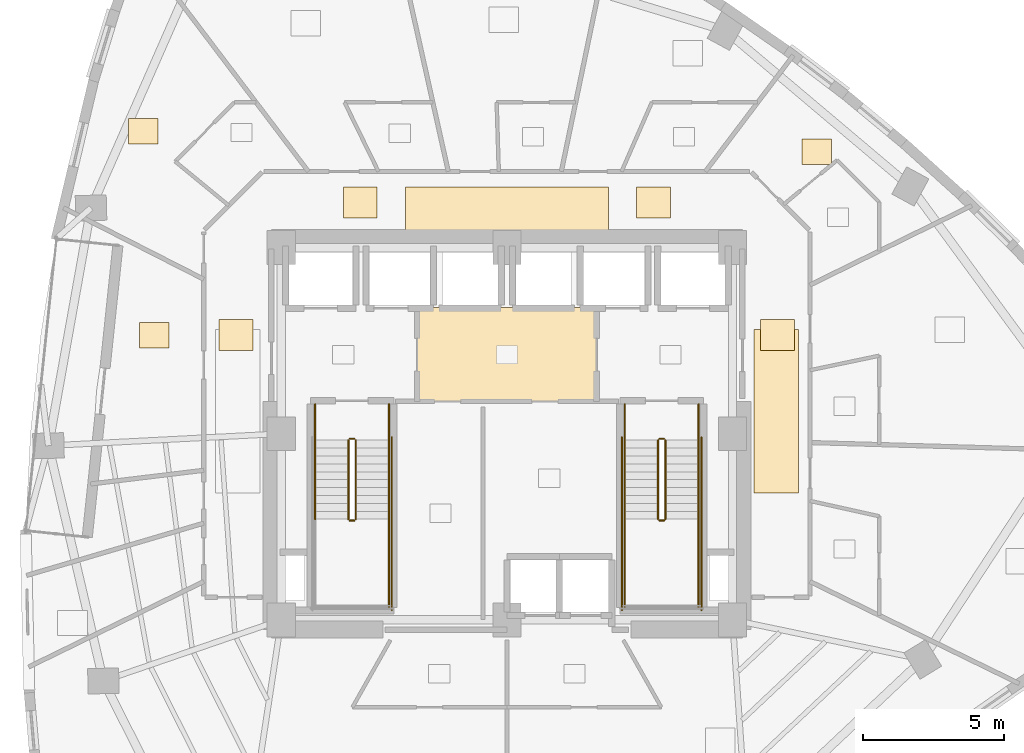
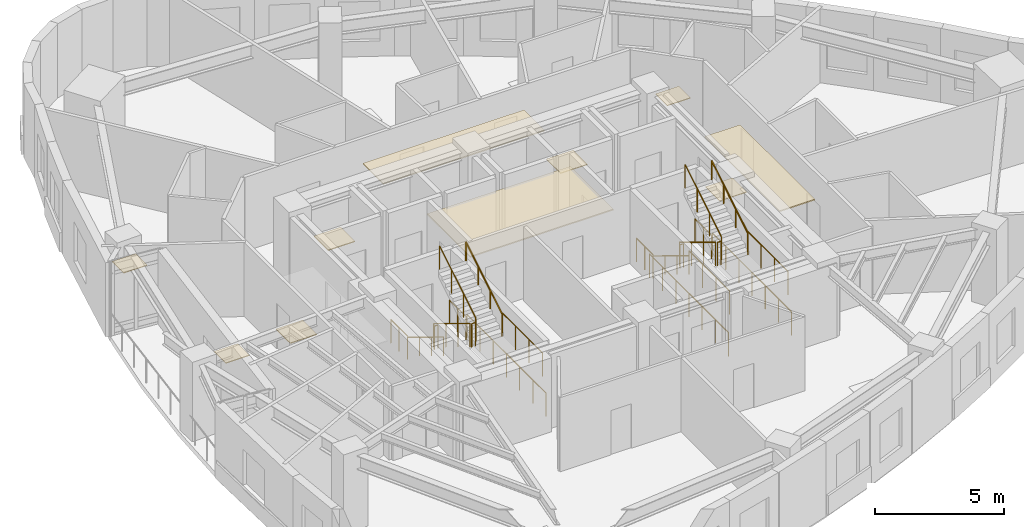
# One storey, part 11 of 12: 22 railings, 10 coverings.
"""IFC4 building model written with IfcOpenShell, lengths in metres."""

from ifc_helpers import new_model, si_unit, direction, frame, origin, origin_2d, place, context, subcontext, project, spatial, rectangle, circle, extrude, material, layer, layer_set, type_object, element, save


model = new_model("IFC4")

# Units and contexts
model_context = context("Model", 3, precision=1e-05, world=origin(), true_north=direction((0.0, 1.0)))
body_context = subcontext(model_context, "Body", "Model", "MODEL_VIEW")
ifc_project = project(units=[si_unit("LENGTHUNIT", "METRE"), si_unit("AREAUNIT", "SQUARE_METRE"), si_unit("VOLUMEUNIT", "CUBIC_METRE"), si_unit("PLANEANGLEUNIT", "RADIAN"), si_unit("MASSUNIT", "GRAM", prefix="KILO")], contexts=[model_context])

# Site, building, storey
site_placement = place(None, origin())
site = spatial("IfcSite", under=ifc_project, at=site_placement, CompositionType="ELEMENT")
building_placement = place(site_placement, origin())
building = spatial("IfcBuilding", under=site, at=building_placement, Name="Ndelora Gate Hotel", CompositionType="ELEMENT")
storey_placement = place(building_placement, frame((0.0, 0.0, 101.0)))
storey = spatial("IfcBuildingStorey", under=building, at=storey_placement, Name="L24", CompositionType="ELEMENT", Elevation=101.0)

# Coverings
ifc_material_1 = material(Name="Perforated Acoustic Gypsum Board", Category="gypsum")
ifc_layer_1 = layer(ifc_material_1, 0.054931640625)
ifc_layer_set_1 = layer_set([ifc_layer_1], Name="Perforated Acoustic Gypsum Board")
covering_type_1 = type_object("IfcCoveringType", Name="COV-CEIL-AC60", PredefinedType="CEILING", material=ifc_layer_set_1)
covering_1_placement = place(storey_placement, frame((0.0, 2.800048828125, 2.72265625), z_axis=(0.0, 0.0, 1.0), x_axis=(1.0, 0.0, 0.0)))
element("IfcCovering", 1, at=covering_1_placement, inside=storey, type_object=covering_type_1, Name="L24 Lift Lobby Acoustic Ceiling", PredefinedType="CEILING", context=body_context, shape_type="SweptSolid", body=[
    extrude(rectangle(XDim=6.39990234375, YDim=3.340087890625, at=origin_2d()), origin(), (0.0, 0.0, 1.0), 0.054931640625),
])
covering_2_placement = place(storey_placement, frame((0.0, 7.9599609375, 2.65234375), z_axis=(0.0, 0.0, 1.0), x_axis=(1.0, 0.0, 0.0)))
element("IfcCovering", 2, at=covering_2_placement, inside=storey, type_object=covering_type_1, Name="L24 Guest Corridor Acoustic Ceiling N", PredefinedType="CEILING", context=body_context, shape_type="SweptSolid", body=[
    extrude(rectangle(XDim=7.199951171875, YDim=1.580078125, at=origin_2d()), origin(), (0.0, 0.0, 1.0), 0.054931640625),
])
covering_3_placement = place(storey_placement, frame((9.550048828125, 0.800048828125, 2.65234375), z_axis=(0.0, 0.0, 1.0), x_axis=(1.0, 0.0, 0.0)))
element("IfcCovering", 3, at=covering_3_placement, inside=storey, type_object=covering_type_1, Name="L24 Guest Corridor Acoustic Ceiling E", PredefinedType="CEILING", context=body_context, shape_type="SweptSolid", body=[
    extrude(rectangle(XDim=1.580078125, YDim=5.800048828125, at=origin_2d()), origin(), (0.0, 0.0, 1.0), 0.054931640625),
])
ifc_material_2 = material(Name="Engineered Highland Oak Parquet", Category="wood")
ifc_layer_2 = layer(ifc_material_2, 0.030029296875)
ifc_layer_set_2 = layer_set([ifc_layer_2], Name="Engineered Highland Oak Parquet")
covering_type_2 = type_object("IfcCoveringType", Name="COV-FLR-PARQ", PredefinedType="FLOORING", material=ifc_layer_set_2)
for number, where, z_axis, x_axis, name in (
    (4, (10.98388671875, 9.997314453125, 0.0), (0.0, 0.0, 1.0), (1.0, 0.0, 0.0), "L24 South Reclaimed Club Suite 2705 Oak Parquet Flooring"),
    (5, (-12.8896484375, 10.730224609375, 0.0), (0.0, 0.0, 1.0), (1.0, 0.0, 0.0), "L24 Club King Guest Room 2709 Oak Parquet Flooring"),
    (6, (-12.505615234375, 3.489501953125, 0.0), (0.0, 0.0, 1.0), (1.0, 0.0, 0.0), "L24 Sky Garden Tea Dining Room Oak Parquet Flooring"),
):
    element("IfcCovering", number, at=place(storey_placement, frame(where, z_axis=z_axis, x_axis=x_axis)), inside=storey, type_object=covering_type_2, Name=name, PredefinedType="FLOORING", context=body_context, shape_type="SweptSolid", body=[
        extrude(rectangle(XDim=1.050048828125, YDim=0.89990234375, at=origin_2d()), origin(), (0.0, 0.0, 1.0), 0.030029296875),
    ])
ifc_material_3 = material(Name="Polished Highland Stone Terrazzo", Category="masonry")
ifc_layer_3 = layer(ifc_material_3, 0.034912109375)
ifc_layer_set_3 = layer_set([ifc_layer_3], Name="Polished Highland Stone Terrazzo")
covering_type_3 = type_object("IfcCoveringType", Name="COV-FLR-TERZ", PredefinedType="FLOORING", material=ifc_layer_set_3)
for number, where, z_axis, x_axis, name in (
    (7, (-5.199951171875, 8.199951171875, 0.0), (0.0, 0.0, 1.0), (1.0, 0.0, 0.0), "L24 Corridor Threshold Terrazzo Inlay NW"),
    (8, (5.199951171875, 8.199951171875, 0.0), (0.0, 0.0, 1.0), (1.0, 0.0, 0.0), "L24 Corridor Threshold Terrazzo Inlay NE"),
    (9, (-9.60009765625, 3.5, 0.0), (0.0, 0.0, 1.0), (1.0, 0.0, 0.0), "L24 Corridor Threshold Terrazzo Inlay W"),
    (10, (9.60009765625, 3.5, 0.0), (0.0, 0.0, 1.0), (1.0, 0.0, 0.0), "L24 Corridor Threshold Terrazzo Inlay E"),
):
    element("IfcCovering", number, at=place(storey_placement, frame(where, z_axis=z_axis, x_axis=x_axis)), inside=storey, type_object=covering_type_3, Name=name, PredefinedType="FLOORING", context=body_context, shape_type="SweptSolid", body=[
        extrude(rectangle(XDim=1.199951171875, YDim=1.10009765625, at=origin_2d()), origin(), (0.0, 0.0, 1.0), 0.034912109375),
    ])

# Railings
ifc_material_4 = material(Name="Painted Galvanized Steel Balustrade", Category="steel")
ifc_layer_4 = layer(ifc_material_4, 0.06005859375)
ifc_layer_set_4 = layer_set([ifc_layer_4], Name="Painted Galvanized Steel Balustrade")
railing_type_1 = type_object("IfcRailingType", Name="RL-STAIR-GD", PredefinedType="GUARDRAIL", material=ifc_layer_set_4)
railing_1_placement = place(storey_placement, frame((-5.6201171875, -0.22998046875, 0.17041015625)))
element("IfcRailing", 11, at=railing_1_placement, inside=storey, type_object=railing_type_1, Name="L24 ST4 stair guard 1", PredefinedType="GUARDRAIL", context=body_context, shape_type="SweptSolid", body=[
    extrude(circle(Radius=0.02392578125, at=origin_2d()), frame((0.0, 0.0, 1.10595703125), z_axis=(0.0, -0.854169791009, 0.51999420009), x_axis=(1.0, 0.0, 0.0)), (0.0, 0.0, 1.0), 3.278076171875),
    extrude(circle(Radius=0.02099609375, at=origin_2d()), origin(), (0.0, 0.0, 1.0), 1.081787109375),
    extrude(circle(Radius=0.02099609375, at=origin_2d()), frame((0.0, -0.933349609375, 0.568115234375)), (0.0, 0.0, 1.0), 1.081787109375),
    extrude(circle(Radius=0.02099609375, at=origin_2d()), frame((0.0, -1.86669921875, 1.136474609375)), (0.0, 0.0, 1.0), 1.081787109375),
    extrude(circle(Radius=0.02099609375, at=origin_2d()), frame((0.0, -2.800048828125, 1.70458984375)), (0.0, 0.0, 1.0), 1.081787109375),
])
railing_2_placement = place(storey_placement, frame((-5.570068359375, -3.080078125, 1.875)))
element("IfcRailing", 12, at=railing_2_placement, inside=storey, type_object=railing_type_1, Name="L24 ST4 stair guard 2", PredefinedType="GUARDRAIL", context=body_context, shape_type="SweptSolid", body=[
    extrude(circle(Radius=0.02392578125, at=origin_2d()), frame((0.0, 0.0, 1.10595703125), z_axis=(1.0, 0.0, 0.0), x_axis=(0.0, 1.0, 0.0)), (0.0, 0.0, 1.0), 0.16015625),
    extrude(circle(Radius=0.02099609375, at=origin_2d()), origin(), (0.0, 0.0, 1.0), 1.081787109375),
    extrude(circle(Radius=0.02099609375, at=origin_2d()), frame((0.16015625, 0.0, 0.0)), (0.0, 0.0, 1.0), 1.081787109375),
])
railing_3_placement = place(storey_placement, frame((-4.179931640625, -3.030029296875, 1.875)))
element("IfcRailing", 13, at=railing_3_placement, inside=storey, type_object=railing_type_1, Name="L24 ST4 stair guard 4", PredefinedType="GUARDRAIL", context=body_context, shape_type="SweptSolid", body=[
    extrude(circle(Radius=0.02392578125, at=origin_2d()), frame((0.0, 0.0, 1.10595703125), z_axis=(0.0, -1.0, 0.0), x_axis=(1.0, 0.0, 0.0)), (0.0, 0.0, 1.0), 3.119873046875),
    extrude(circle(Radius=0.02099609375, at=origin_2d()), origin(), (0.0, 0.0, 1.0), 1.081787109375),
    extrude(circle(Radius=0.02099609375, at=origin_2d()), frame((0.0, -1.0400390625, 0.0)), (0.0, 0.0, 1.0), 1.081787109375),
    extrude(circle(Radius=0.02099609375, at=origin_2d()), frame((0.0, -2.079833984375, 0.0)), (0.0, 0.0, 1.0), 1.081787109375),
    extrude(circle(Radius=0.02099609375, at=origin_2d()), frame((0.0, -3.119873046875, 0.0)), (0.0, 0.0, 1.0), 1.081787109375),
])
railing_4_placement = place(storey_placement, frame((-5.360107421875, -3.030029296875, 2.04541015625)))
element("IfcRailing", 14, at=railing_4_placement, inside=storey, type_object=railing_type_1, Name="L24 ST4 stair guard 6", PredefinedType="GUARDRAIL", context=body_context, shape_type="SweptSolid", body=[
    extrude(circle(Radius=0.02392578125, at=origin_2d()), frame((0.0, 0.0, 1.10595703125), z_axis=(0.0, 0.854169791009, 0.51999420009), x_axis=(-1.0, 0.0, 0.0)), (0.0, 0.0, 1.0), 3.278076171875),
    extrude(circle(Radius=0.02099609375, at=origin_2d()), origin(), (0.0, 0.0, 1.0), 1.081787109375),
    extrude(circle(Radius=0.02099609375, at=origin_2d()), frame((0.0, 0.933349609375, 0.568115234375)), (0.0, 0.0, 1.0), 1.081787109375),
    extrude(circle(Radius=0.02099609375, at=origin_2d()), frame((0.0, 1.86669921875, 1.136474609375)), (0.0, 0.0, 1.0), 1.081787109375),
    extrude(circle(Radius=0.02099609375, at=origin_2d()), frame((0.0, 2.800048828125, 1.70458984375)), (0.0, 0.0, 1.0), 1.081787109375),
])
railing_5_placement = place(storey_placement, frame((-5.570068359375, -0.179931640625, 0.0)))
element("IfcRailing", 15, at=railing_5_placement, inside=storey, type_object=railing_type_1, Name="L24 ST4 stair guard 7", PredefinedType="GUARDRAIL", context=body_context, shape_type="SweptSolid", body=[
    extrude(circle(Radius=0.02392578125, at=origin_2d()), frame((0.0, 0.0, 1.10595703125), z_axis=(1.0, 0.0, 0.0), x_axis=(0.0, 1.0, 0.0)), (0.0, 0.0, 1.0), 0.16015625),
    extrude(circle(Radius=0.02099609375, at=origin_2d()), origin(), (0.0, 0.0, 1.0), 1.081787109375),
    extrude(circle(Radius=0.02099609375, at=origin_2d()), frame((0.16015625, 0.0, 0.0)), (0.0, 0.0, 1.0), 1.081787109375),
])
for number, where, name in (
    (16, (-6.800048828125, 1.050048828125, 0.0), "L24 ST4 stair guard 8"),
    (17, (-4.179931640625, 1.050048828125, 0.0), "L24 ST4 stair guard 9"),
):
    element("IfcRailing", number, at=place(storey_placement, frame(where)), inside=storey, type_object=railing_type_1, Name=name, PredefinedType="GUARDRAIL", context=body_context, shape_type="SweptSolid", body=[
        extrude(circle(Radius=0.02392578125, at=origin_2d()), frame((0.0, 0.0, 1.10595703125), z_axis=(0.0, -1.0, 0.0), x_axis=(1.0, 0.0, 0.0)), (0.0, 0.0, 1.0), 1.280029296875),
        extrude(circle(Radius=0.02099609375, at=origin_2d()), origin(), (0.0, 0.0, 1.0), 1.081787109375),
        extrude(circle(Radius=0.02099609375, at=origin_2d()), frame((0.0, -0.64013671875, 0.0)), (0.0, 0.0, 1.0), 1.081787109375),
        extrude(circle(Radius=0.02099609375, at=origin_2d()), frame((0.0, -1.280029296875, 0.0)), (0.0, 0.0, 1.0), 1.081787109375),
    ])
railing_6_placement = place(storey_placement, frame((-4.080078125, -0.1298828125, 0.0)))
element("IfcRailing", 18, at=railing_6_placement, inside=storey, type_object=railing_type_1, Name="L24 ST4 stair guard 11", PredefinedType="GUARDRAIL", context=body_context, shape_type="SweptSolid", body=[
    extrude(circle(Radius=0.02392578125, at=origin_2d()), frame((0.0, 0.0, 1.10595703125), z_axis=(0.0, -1.0, 0.0), x_axis=(1.0, 0.0, 0.0)), (0.0, 0.0, 1.0), 6.1201171875),
    extrude(circle(Radius=0.02099609375, at=origin_2d()), origin(), (0.0, 0.0, 1.0), 1.081787109375),
    extrude(circle(Radius=0.02099609375, at=origin_2d()), frame((0.0, -1.02001953125, 0.0)), (0.0, 0.0, 1.0), 1.081787109375),
    extrude(circle(Radius=0.02099609375, at=origin_2d()), frame((0.0, -2.0400390625, 0.0)), (0.0, 0.0, 1.0), 1.081787109375),
    extrude(circle(Radius=0.02099609375, at=origin_2d()), frame((0.0, -3.06005859375, 0.0)), (0.0, 0.0, 1.0), 1.081787109375),
    extrude(circle(Radius=0.02099609375, at=origin_2d()), frame((0.0, -4.080078125, 0.0)), (0.0, 0.0, 1.0), 1.081787109375),
    extrude(circle(Radius=0.02099609375, at=origin_2d()), frame((0.0, -5.10009765625, 0.0)), (0.0, 0.0, 1.0), 1.081787109375),
    extrude(circle(Radius=0.02099609375, at=origin_2d()), frame((0.0, -6.1201171875, 0.0)), (0.0, 0.0, 1.0), 1.081787109375),
])
railing_7_placement = place(storey_placement, frame((5.360107421875, -0.22998046875, 0.17041015625)))
element("IfcRailing", 19, at=railing_7_placement, inside=storey, type_object=railing_type_1, Name="L24 ST5 stair guard 1", PredefinedType="GUARDRAIL", context=body_context, shape_type="SweptSolid", body=[
    extrude(circle(Radius=0.02392578125, at=origin_2d()), frame((0.0, 0.0, 1.10595703125), z_axis=(0.0, -0.854169791009, 0.51999420009), x_axis=(1.0, 0.0, 0.0)), (0.0, 0.0, 1.0), 3.278076171875),
    extrude(circle(Radius=0.02099609375, at=origin_2d()), origin(), (0.0, 0.0, 1.0), 1.081787109375),
    extrude(circle(Radius=0.02099609375, at=origin_2d()), frame((0.0, -0.933349609375, 0.568115234375)), (0.0, 0.0, 1.0), 1.081787109375),
    extrude(circle(Radius=0.02099609375, at=origin_2d()), frame((0.0, -1.86669921875, 1.136474609375)), (0.0, 0.0, 1.0), 1.081787109375),
    extrude(circle(Radius=0.02099609375, at=origin_2d()), frame((0.0, -2.800048828125, 1.70458984375)), (0.0, 0.0, 1.0), 1.081787109375),
])
railing_8_placement = place(storey_placement, frame((5.409912109375, -3.080078125, 1.875)))
element("IfcRailing", 20, at=railing_8_placement, inside=storey, type_object=railing_type_1, Name="L24 ST5 stair guard 2", PredefinedType="GUARDRAIL", context=body_context, shape_type="SweptSolid", body=[
    extrude(circle(Radius=0.02392578125, at=origin_2d()), frame((0.0, 0.0, 1.10595703125), z_axis=(1.0, 0.0, 0.0), x_axis=(0.0, 1.0, 0.0)), (0.0, 0.0, 1.0), 0.16015625),
    extrude(circle(Radius=0.02099609375, at=origin_2d()), origin(), (0.0, 0.0, 1.0), 1.081787109375),
    extrude(circle(Radius=0.02099609375, at=origin_2d()), frame((0.16015625, 0.0, 0.0)), (0.0, 0.0, 1.0), 1.081787109375),
])
for number, where, name in (
    (21, (4.179931640625, -3.030029296875, 1.875), "L24 ST5 stair guard 3"),
    (22, (6.800048828125, -3.030029296875, 1.875), "L24 ST5 stair guard 4"),
):
    element("IfcRailing", number, at=place(storey_placement, frame(where)), inside=storey, type_object=railing_type_1, Name=name, PredefinedType="GUARDRAIL", context=body_context, shape_type="SweptSolid", body=[
        extrude(circle(Radius=0.02392578125, at=origin_2d()), frame((0.0, 0.0, 1.10595703125), z_axis=(0.0, -1.0, 0.0), x_axis=(1.0, 0.0, 0.0)), (0.0, 0.0, 1.0), 3.119873046875),
        extrude(circle(Radius=0.02099609375, at=origin_2d()), origin(), (0.0, 0.0, 1.0), 1.081787109375),
        extrude(circle(Radius=0.02099609375, at=origin_2d()), frame((0.0, -1.0400390625, 0.0)), (0.0, 0.0, 1.0), 1.081787109375),
        extrude(circle(Radius=0.02099609375, at=origin_2d()), frame((0.0, -2.079833984375, 0.0)), (0.0, 0.0, 1.0), 1.081787109375),
        extrude(circle(Radius=0.02099609375, at=origin_2d()), frame((0.0, -3.119873046875, 0.0)), (0.0, 0.0, 1.0), 1.081787109375),
    ])
railing_9_placement = place(storey_placement, frame((5.6201171875, -3.030029296875, 2.04541015625)))
element("IfcRailing", 23, at=railing_9_placement, inside=storey, type_object=railing_type_1, Name="L24 ST5 stair guard 6", PredefinedType="GUARDRAIL", context=body_context, shape_type="SweptSolid", body=[
    extrude(circle(Radius=0.02392578125, at=origin_2d()), frame((0.0, 0.0, 1.10595703125), z_axis=(0.0, 0.854169791009, 0.51999420009), x_axis=(-1.0, 0.0, 0.0)), (0.0, 0.0, 1.0), 3.278076171875),
    extrude(circle(Radius=0.02099609375, at=origin_2d()), origin(), (0.0, 0.0, 1.0), 1.081787109375),
    extrude(circle(Radius=0.02099609375, at=origin_2d()), frame((0.0, 0.933349609375, 0.568115234375)), (0.0, 0.0, 1.0), 1.081787109375),
    extrude(circle(Radius=0.02099609375, at=origin_2d()), frame((0.0, 1.86669921875, 1.136474609375)), (0.0, 0.0, 1.0), 1.081787109375),
    extrude(circle(Radius=0.02099609375, at=origin_2d()), frame((0.0, 2.800048828125, 1.70458984375)), (0.0, 0.0, 1.0), 1.081787109375),
])
railing_10_placement = place(storey_placement, frame((5.409912109375, -0.179931640625, 0.0)))
element("IfcRailing", 24, at=railing_10_placement, inside=storey, type_object=railing_type_1, Name="L24 ST5 stair guard 7", PredefinedType="GUARDRAIL", context=body_context, shape_type="SweptSolid", body=[
    extrude(circle(Radius=0.02392578125, at=origin_2d()), frame((0.0, 0.0, 1.10595703125), z_axis=(1.0, 0.0, 0.0), x_axis=(0.0, 1.0, 0.0)), (0.0, 0.0, 1.0), 0.16015625),
    extrude(circle(Radius=0.02099609375, at=origin_2d()), origin(), (0.0, 0.0, 1.0), 1.081787109375),
    extrude(circle(Radius=0.02099609375, at=origin_2d()), frame((0.16015625, 0.0, 0.0)), (0.0, 0.0, 1.0), 1.081787109375),
])
for number, where, name in (
    (25, (4.179931640625, 1.050048828125, 0.0), "L24 ST5 stair guard 8"),
    (26, (6.800048828125, 1.050048828125, 0.0), "L24 ST5 stair guard 9"),
):
    element("IfcRailing", number, at=place(storey_placement, frame(where)), inside=storey, type_object=railing_type_1, Name=name, PredefinedType="GUARDRAIL", context=body_context, shape_type="SweptSolid", body=[
        extrude(circle(Radius=0.02392578125, at=origin_2d()), frame((0.0, 0.0, 1.10595703125), z_axis=(0.0, -1.0, 0.0), x_axis=(1.0, 0.0, 0.0)), (0.0, 0.0, 1.0), 1.280029296875),
        extrude(circle(Radius=0.02099609375, at=origin_2d()), origin(), (0.0, 0.0, 1.0), 1.081787109375),
        extrude(circle(Radius=0.02099609375, at=origin_2d()), frame((0.0, -0.64013671875, 0.0)), (0.0, 0.0, 1.0), 1.081787109375),
        extrude(circle(Radius=0.02099609375, at=origin_2d()), frame((0.0, -1.280029296875, 0.0)), (0.0, 0.0, 1.0), 1.081787109375),
    ])
for number, where, name in (
    (27, (4.080078125, -0.1298828125, 0.0), "L24 ST5 stair guard 10"),
    (28, (6.89990234375, -0.1298828125, 0.0), "L24 ST5 stair guard 11"),
):
    element("IfcRailing", number, at=place(storey_placement, frame(where)), inside=storey, type_object=railing_type_1, Name=name, PredefinedType="GUARDRAIL", context=body_context, shape_type="SweptSolid", body=[
        extrude(circle(Radius=0.02392578125, at=origin_2d()), frame((0.0, 0.0, 1.10595703125), z_axis=(0.0, -1.0, 0.0), x_axis=(1.0, 0.0, 0.0)), (0.0, 0.0, 1.0), 6.1201171875),
        extrude(circle(Radius=0.02099609375, at=origin_2d()), origin(), (0.0, 0.0, 1.0), 1.081787109375),
        extrude(circle(Radius=0.02099609375, at=origin_2d()), frame((0.0, -1.02001953125, 0.0)), (0.0, 0.0, 1.0), 1.081787109375),
        extrude(circle(Radius=0.02099609375, at=origin_2d()), frame((0.0, -2.0400390625, 0.0)), (0.0, 0.0, 1.0), 1.081787109375),
        extrude(circle(Radius=0.02099609375, at=origin_2d()), frame((0.0, -3.06005859375, 0.0)), (0.0, 0.0, 1.0), 1.081787109375),
        extrude(circle(Radius=0.02099609375, at=origin_2d()), frame((0.0, -4.080078125, 0.0)), (0.0, 0.0, 1.0), 1.081787109375),
        extrude(circle(Radius=0.02099609375, at=origin_2d()), frame((0.0, -5.10009765625, 0.0)), (0.0, 0.0, 1.0), 1.081787109375),
        extrude(circle(Radius=0.02099609375, at=origin_2d()), frame((0.0, -6.1201171875, 0.0)), (0.0, 0.0, 1.0), 1.081787109375),
    ])
ifc_material_5 = material(Name="Brushed Stainless Steel 316", Category="steel")
ifc_layer_5 = layer(ifc_material_5, 0.050048828125)
ifc_layer_set_5 = layer_set([ifc_layer_5], Name="Brushed Stainless Steel 316")
railing_type_2 = type_object("IfcRailingType", Name="RL-STAIR-HR", PredefinedType="HANDRAIL", material=ifc_layer_set_5)
railing_11_placement = place(storey_placement, frame((-6.800048828125, -0.22998046875, 0.17041015625)))
element("IfcRailing", 29, at=railing_11_placement, inside=storey, type_object=railing_type_2, Name="L24 ST4 stair handrail 1", PredefinedType="HANDRAIL", context=body_context, shape_type="SweptSolid", body=[
    extrude(circle(Radius=0.02392578125, at=origin_2d()), frame((0.0, 0.0, 0.8759765625), z_axis=(0.0, -0.854169791009, 0.51999420009), x_axis=(1.0, 0.0, 0.0)), (0.0, 0.0, 1.0), 3.278076171875),
    extrude(circle(Radius=0.02099609375, at=origin_2d()), origin(), (0.0, 0.0, 1.0), 0.851806640625),
    extrude(circle(Radius=0.02099609375, at=origin_2d()), frame((0.0, -0.933349609375, 0.568115234375)), (0.0, 0.0, 1.0), 0.851806640625),
    extrude(circle(Radius=0.02099609375, at=origin_2d()), frame((0.0, -1.86669921875, 1.136474609375)), (0.0, 0.0, 1.0), 0.851806640625),
    extrude(circle(Radius=0.02099609375, at=origin_2d()), frame((0.0, -2.800048828125, 1.70458984375)), (0.0, 0.0, 1.0), 0.851806640625),
])
railing_12_placement = place(storey_placement, frame((-4.179931640625, -3.030029296875, 2.04541015625)))
element("IfcRailing", 30, at=railing_12_placement, inside=storey, type_object=railing_type_2, Name="L24 ST4 stair handrail 2", PredefinedType="HANDRAIL", context=body_context, shape_type="SweptSolid", body=[
    extrude(circle(Radius=0.02392578125, at=origin_2d()), frame((0.0, 0.0, 0.8759765625), z_axis=(0.0, 0.854169791009, 0.51999420009), x_axis=(-1.0, 0.0, 0.0)), (0.0, 0.0, 1.0), 3.278076171875),
    extrude(circle(Radius=0.02099609375, at=origin_2d()), origin(), (0.0, 0.0, 1.0), 0.851806640625),
    extrude(circle(Radius=0.02099609375, at=origin_2d()), frame((0.0, 0.933349609375, 0.568115234375)), (0.0, 0.0, 1.0), 0.851806640625),
    extrude(circle(Radius=0.02099609375, at=origin_2d()), frame((0.0, 1.86669921875, 1.136474609375)), (0.0, 0.0, 1.0), 0.851806640625),
    extrude(circle(Radius=0.02099609375, at=origin_2d()), frame((0.0, 2.800048828125, 1.70458984375)), (0.0, 0.0, 1.0), 0.851806640625),
])
railing_13_placement = place(storey_placement, frame((4.179931640625, -0.22998046875, 0.17041015625)))
element("IfcRailing", 31, at=railing_13_placement, inside=storey, type_object=railing_type_2, Name="L24 ST5 stair handrail 1", PredefinedType="HANDRAIL", context=body_context, shape_type="SweptSolid", body=[
    extrude(circle(Radius=0.02392578125, at=origin_2d()), frame((0.0, 0.0, 0.8759765625), z_axis=(0.0, -0.854169791009, 0.51999420009), x_axis=(1.0, 0.0, 0.0)), (0.0, 0.0, 1.0), 3.278076171875),
    extrude(circle(Radius=0.02099609375, at=origin_2d()), origin(), (0.0, 0.0, 1.0), 0.851806640625),
    extrude(circle(Radius=0.02099609375, at=origin_2d()), frame((0.0, -0.933349609375, 0.568115234375)), (0.0, 0.0, 1.0), 0.851806640625),
    extrude(circle(Radius=0.02099609375, at=origin_2d()), frame((0.0, -1.86669921875, 1.136474609375)), (0.0, 0.0, 1.0), 0.851806640625),
    extrude(circle(Radius=0.02099609375, at=origin_2d()), frame((0.0, -2.800048828125, 1.70458984375)), (0.0, 0.0, 1.0), 0.851806640625),
])
railing_14_placement = place(storey_placement, frame((6.800048828125, -3.030029296875, 2.04541015625)))
element("IfcRailing", 32, at=railing_14_placement, inside=storey, type_object=railing_type_2, Name="L24 ST5 stair handrail 2", PredefinedType="HANDRAIL", context=body_context, shape_type="SweptSolid", body=[
    extrude(circle(Radius=0.02392578125, at=origin_2d()), frame((0.0, 0.0, 0.8759765625), z_axis=(0.0, 0.854169791009, 0.51999420009), x_axis=(-1.0, 0.0, 0.0)), (0.0, 0.0, 1.0), 3.278076171875),
    extrude(circle(Radius=0.02099609375, at=origin_2d()), origin(), (0.0, 0.0, 1.0), 0.851806640625),
    extrude(circle(Radius=0.02099609375, at=origin_2d()), frame((0.0, 0.933349609375, 0.568115234375)), (0.0, 0.0, 1.0), 0.851806640625),
    extrude(circle(Radius=0.02099609375, at=origin_2d()), frame((0.0, 1.86669921875, 1.136474609375)), (0.0, 0.0, 1.0), 0.851806640625),
    extrude(circle(Radius=0.02099609375, at=origin_2d()), frame((0.0, 2.800048828125, 1.70458984375)), (0.0, 0.0, 1.0), 0.851806640625),
])

save(model, "model.ifc")
